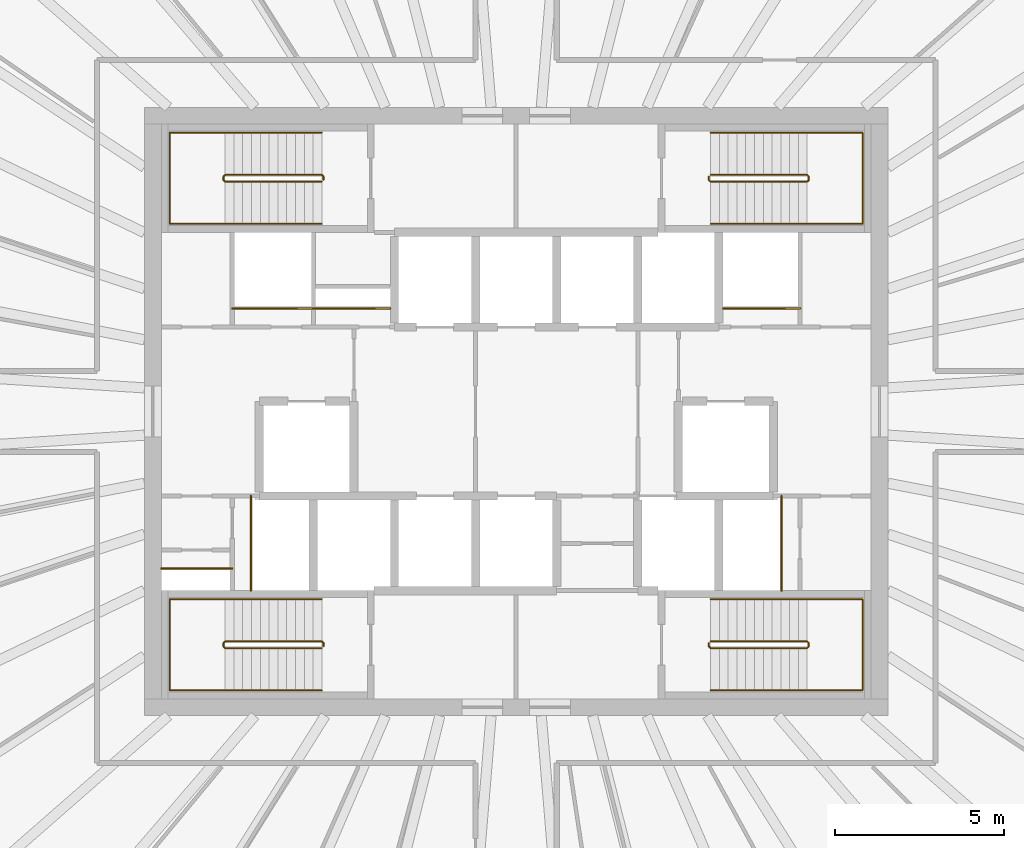
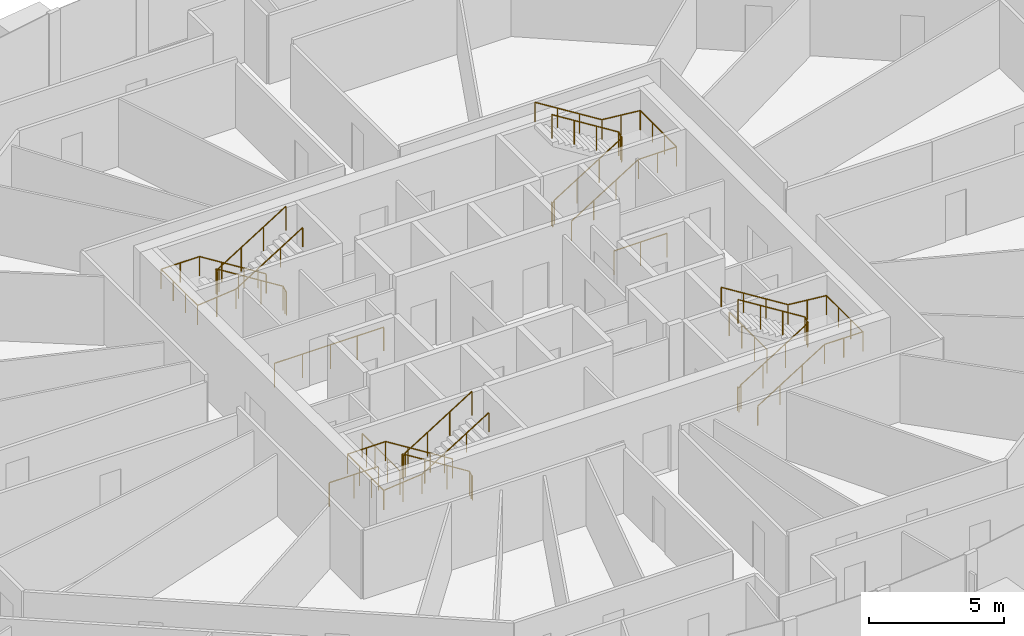
# One storey, part 12 of 12: 14 railings.
"""IFC4 building model written with IfcOpenShell, lengths in metres."""

from ifc_helpers import new_model, si_unit, direction, frame, origin, origin_2d, place, context, subcontext, project, spatial, circle, extrude, source, transform, mapped, material, type_object, element, save


model = new_model("IFC4")

# Units and contexts
model_context = context("Model", 3, precision=1e-05, world=origin(), true_north=direction((0.0, 1.0)))
body_context = subcontext(model_context, "Body", "Model", "MODEL_VIEW")
ifc_project = project(units=[si_unit("LENGTHUNIT", "METRE"), si_unit("AREAUNIT", "SQUARE_METRE"), si_unit("VOLUMEUNIT", "CUBIC_METRE"), si_unit("PLANEANGLEUNIT", "RADIAN"), si_unit("MASSUNIT", "GRAM", prefix="KILO")], contexts=[model_context])

# Site, building, storey
site_placement = place(None, origin())
site = spatial("IfcSite", under=ifc_project, at=site_placement, CompositionType="ELEMENT")
building_placement = place(site_placement, origin())
building = spatial("IfcBuilding", under=site, at=building_placement, Name="Embergate Tower", CompositionType="ELEMENT")
storey_placement = place(building_placement, frame((0.0, 0.0, 265.60009765625)))
storey = spatial("IfcBuildingStorey", under=building, at=storey_placement, Name="L61", CompositionType="ELEMENT", Elevation=265.60009765625)

# Railings
ifc_material_1 = material(Name="Stair handrail 900")
railing_type_1 = type_object("IfcRailingType", Name="Stair handrail 900", PredefinedType="HANDRAIL", material=ifc_material_1)
shared_shape_1 = source(origin(), body_context, "Body", "SweptSolid", [
    extrude(circle(Radius=0.02392578125, at=origin_2d()), frame((0.0, 0.0, 0.8759765625), z_axis=(-0.847994237388, 0.0, 0.530005446535), x_axis=(0.0, -1.0, 0.0)), (0.0, 0.0, 1.0), 3.372802734375),
    extrude(circle(Radius=0.02392578125, at=origin_2d()), frame((-2.860107421875, 0.0, 2.66357421875), z_axis=(-1.0, 0.0, 0.0), x_axis=(0.0, -1.0, 0.0)), (0.0, 0.0, 1.0), 1.639892578125),
    extrude(circle(Radius=0.02392578125, at=origin_2d()), frame((-4.5, 0.0, 2.66357421875), z_axis=(0.0, -1.0, 0.0), x_axis=(1.0, 0.0, 0.0)), (0.0, 0.0, 1.0), 2.699951171875),
    extrude(circle(Radius=0.02392578125, at=origin_2d()), frame((-4.5, -2.699951171875, 2.66357421875), z_axis=(0.995134983717, 0.0, 0.098520881967), x_axis=(0.0, 1.0, 0.0)), (0.0, 0.0, 1.0), 1.64794921875),
    extrude(circle(Radius=0.02392578125, at=origin_2d()), frame((-2.860107421875, -2.699951171875, 2.82568359375), z_axis=(0.847994237388, 0.0, 0.530005446535), x_axis=(0.0, 1.0, 0.0)), (0.0, 0.0, 1.0), 3.372802734375),
    extrude(circle(Radius=0.02099609375, at=origin_2d()), origin(), (0.0, 0.0, 1.0), 0.851806640625),
    extrude(circle(Radius=0.02099609375, at=origin_2d()), frame((-0.953369140625, 0.0, 0.595947265625)), (0.0, 0.0, 1.0), 0.851806640625),
    extrude(circle(Radius=0.02099609375, at=origin_2d()), frame((-1.90673828125, 0.0, 1.191650390625)), (0.0, 0.0, 1.0), 0.851806640625),
    extrude(circle(Radius=0.02099609375, at=origin_2d()), frame((-2.860107421875, 0.0, 1.78759765625)), (0.0, 0.0, 1.0), 0.851806640625),
    extrude(circle(Radius=0.02099609375, at=origin_2d()), frame((-3.68017578125, 0.0, 1.78759765625)), (0.0, 0.0, 1.0), 0.851806640625),
    extrude(circle(Radius=0.02099609375, at=origin_2d()), frame((-4.5, 0.0, 1.78759765625)), (0.0, 0.0, 1.0), 0.851806640625),
    extrude(circle(Radius=0.02099609375, at=origin_2d()), frame((-4.5, -0.89990234375, 1.78759765625)), (0.0, 0.0, 1.0), 0.851806640625),
    extrude(circle(Radius=0.02099609375, at=origin_2d()), frame((-4.5, -1.800048828125, 1.78759765625)), (0.0, 0.0, 1.0), 0.851806640625),
    extrude(circle(Radius=0.02099609375, at=origin_2d()), frame((-4.5, -2.699951171875, 1.78759765625)), (0.0, 0.0, 1.0), 0.851806640625),
    extrude(circle(Radius=0.02099609375, at=origin_2d()), frame((-3.68017578125, -2.699951171875, 1.86865234375)), (0.0, 0.0, 1.0), 0.851806640625),
    extrude(circle(Radius=0.02099609375, at=origin_2d()), frame((-2.860107421875, -2.699951171875, 1.949951171875)), (0.0, 0.0, 1.0), 0.851806640625),
    extrude(circle(Radius=0.02099609375, at=origin_2d()), frame((-1.90673828125, -2.699951171875, 2.5458984375)), (0.0, 0.0, 1.0), 0.851806640625),
    extrude(circle(Radius=0.02099609375, at=origin_2d()), frame((-0.953369140625, -2.699951171875, 3.1416015625)), (0.0, 0.0, 1.0), 0.851806640625),
    extrude(circle(Radius=0.02099609375, at=origin_2d()), frame((0.0, -2.699951171875, 3.737548828125)), (0.0, 0.0, 1.0), 0.851806640625),
])
for number, where, name in (
    (1, (-5.75, 8.25, 0.162353515625), "L61 ST1 stair handrail 1"),
    (2, (-5.75, -5.550048828125, 0.162353515625), "L61 ST3 stair handrail 1"),
):
    element("IfcRailing", number, at=place(storey_placement, frame(where)), inside=storey, type_object=railing_type_1, Name=name, PredefinedType="HANDRAIL", context=body_context, shape_type="MappedRepresentation", body=[
        mapped(shared_shape_1, transform((0.0, 0.0, 0.0))),
    ])
ifc_material_2 = material(Name="Stair guard 1100")
railing_type_2 = type_object("IfcRailingType", Name="Stair guard 1100", PredefinedType="GUARDRAIL", material=ifc_material_2)
shared_shape_2 = source(origin(), body_context, "Body", "SweptSolid", [
    extrude(circle(Radius=0.02392578125, at=origin_2d()), frame((0.0, 0.0, 1.076171875), z_axis=(0.0, 1.0, 0.0), x_axis=(-1.0, 0.0, 0.0)), (0.0, 0.0, 1.0), 0.099853515625),
    extrude(circle(Radius=0.02392578125, at=origin_2d()), frame((0.0, 0.099853515625, 1.076171875), z_axis=(-0.282583949758, 0.282583949758, 0.916674763849), x_axis=(-0.707106781187, -0.707106781187, 0.0)), (0.0, 0.0, 1.0), 0.177001953125),
    extrude(circle(Radius=0.02392578125, at=origin_2d()), frame((-0.050048828125, 0.14990234375, 1.23828125), z_axis=(-0.847994237388, 0.0, 0.530005446535), x_axis=(0.0, -1.0, 0.0)), (0.0, 0.0, 1.0), 3.372802734375),
    extrude(circle(Radius=0.02392578125, at=origin_2d()), frame((-2.91015625, 0.14990234375, 3.02587890625), z_axis=(-0.705375805398, -0.708833529934, 0.0), x_axis=(0.708833529934, -0.705375805398, 0.0)), (0.0, 0.0, 1.0), 0.070556640625),
    extrude(circle(Radius=0.02392578125, at=origin_2d()), frame((-2.9599609375, 0.099853515625, 3.02587890625), z_axis=(0.0, -1.0, 0.0), x_axis=(1.0, 0.0, 0.0)), (0.0, 0.0, 1.0), 0.099853515625),
    extrude(circle(Radius=0.02392578125, at=origin_2d()), frame((-2.9599609375, 0.0, 3.02587890625), z_axis=(0.281314826061, -0.282693820306, 0.917031173188), x_axis=(0.708833529934, 0.705375805398, 0.0)), (0.0, 0.0, 1.0), 0.177001953125),
    extrude(circle(Radius=0.02392578125, at=origin_2d()), frame((-2.91015625, -0.050048828125, 3.1884765625), z_axis=(0.847994237388, 0.0, 0.530005446535), x_axis=(0.0, 1.0, 0.0)), (0.0, 0.0, 1.0), 3.372802734375),
    extrude(circle(Radius=0.02099609375, at=origin_2d()), origin(), (0.0, 0.0, 1.0), 1.052001953125),
    extrude(circle(Radius=0.02099609375, at=origin_2d()), frame((0.0, 0.099853515625, 0.0)), (0.0, 0.0, 1.0), 1.052001953125),
    extrude(circle(Radius=0.02099609375, at=origin_2d()), frame((-0.050048828125, 0.14990234375, 0.162353515625)), (0.0, 0.0, 1.0), 1.052001953125),
    extrude(circle(Radius=0.02099609375, at=origin_2d()), frame((-1.00341796875, 0.14990234375, 0.75830078125)), (0.0, 0.0, 1.0), 1.052001953125),
    extrude(circle(Radius=0.02099609375, at=origin_2d()), frame((-1.956787109375, 0.14990234375, 1.35400390625)), (0.0, 0.0, 1.0), 1.052001953125),
    extrude(circle(Radius=0.02099609375, at=origin_2d()), frame((-2.91015625, 0.14990234375, 1.949951171875)), (0.0, 0.0, 1.0), 1.052001953125),
    extrude(circle(Radius=0.02099609375, at=origin_2d()), frame((-2.9599609375, 0.099853515625, 1.949951171875)), (0.0, 0.0, 1.0), 1.052001953125),
    extrude(circle(Radius=0.02099609375, at=origin_2d()), frame((-2.9599609375, 0.0, 1.949951171875)), (0.0, 0.0, 1.0), 1.052001953125),
    extrude(circle(Radius=0.02099609375, at=origin_2d()), frame((-2.91015625, -0.050048828125, 2.1123046875)), (0.0, 0.0, 1.0), 1.052001953125),
    extrude(circle(Radius=0.02099609375, at=origin_2d()), frame((-1.956787109375, -0.050048828125, 2.708251953125)), (0.0, 0.0, 1.0), 1.052001953125),
    extrude(circle(Radius=0.02099609375, at=origin_2d()), frame((-1.00341796875, -0.050048828125, 3.303955078125)), (0.0, 0.0, 1.0), 1.052001953125),
    extrude(circle(Radius=0.02099609375, at=origin_2d()), frame((-0.050048828125, -0.050048828125, 3.89990234375)), (0.0, 0.0, 1.0), 1.052001953125),
])
for number, where, name in (
    (3, (-5.699951171875, 6.85009765625, 0.0), "L61 ST1 stair guard 1"),
    (4, (-5.699951171875, -6.949951171875, 0.0), "L61 ST3 stair guard 1"),
):
    element("IfcRailing", number, at=place(storey_placement, frame(where)), inside=storey, type_object=railing_type_2, Name=name, PredefinedType="GUARDRAIL", context=body_context, shape_type="MappedRepresentation", body=[
        mapped(shared_shape_2, transform((0.0, 0.0, 0.0))),
    ])
shared_shape_3 = source(origin(), body_context, "Body", "SweptSolid", [
    extrude(circle(Radius=0.02392578125, at=origin_2d()), frame((0.0, 0.0, 0.8759765625), z_axis=(0.847994237388, 0.0, 0.530005446535), x_axis=(0.0, 1.0, 0.0)), (0.0, 0.0, 1.0), 3.372802734375),
    extrude(circle(Radius=0.02392578125, at=origin_2d()), frame((2.860107421875, 0.0, 2.66357421875), z_axis=(1.0, 0.0, 0.0), x_axis=(0.0, 1.0, 0.0)), (0.0, 0.0, 1.0), 1.639892578125),
    extrude(circle(Radius=0.02392578125, at=origin_2d()), frame((4.5, 0.0, 2.66357421875), z_axis=(0.0, 1.0, 0.0), x_axis=(-1.0, 0.0, 0.0)), (0.0, 0.0, 1.0), 2.699951171875),
    extrude(circle(Radius=0.02392578125, at=origin_2d()), frame((4.5, 2.699951171875, 2.66357421875), z_axis=(-0.995134983717, 0.0, 0.098520881967), x_axis=(0.0, -1.0, 0.0)), (0.0, 0.0, 1.0), 1.64794921875),
    extrude(circle(Radius=0.02392578125, at=origin_2d()), frame((2.860107421875, 2.699951171875, 2.82568359375), z_axis=(-0.847994237388, 0.0, 0.530005446535), x_axis=(0.0, -1.0, 0.0)), (0.0, 0.0, 1.0), 3.372802734375),
    extrude(circle(Radius=0.02099609375, at=origin_2d()), origin(), (0.0, 0.0, 1.0), 0.851806640625),
    extrude(circle(Radius=0.02099609375, at=origin_2d()), frame((0.953369140625, 0.0, 0.595947265625)), (0.0, 0.0, 1.0), 0.851806640625),
    extrude(circle(Radius=0.02099609375, at=origin_2d()), frame((1.90673828125, 0.0, 1.191650390625)), (0.0, 0.0, 1.0), 0.851806640625),
    extrude(circle(Radius=0.02099609375, at=origin_2d()), frame((2.860107421875, 0.0, 1.78759765625)), (0.0, 0.0, 1.0), 0.851806640625),
    extrude(circle(Radius=0.02099609375, at=origin_2d()), frame((3.68017578125, 0.0, 1.78759765625)), (0.0, 0.0, 1.0), 0.851806640625),
    extrude(circle(Radius=0.02099609375, at=origin_2d()), frame((4.5, 0.0, 1.78759765625)), (0.0, 0.0, 1.0), 0.851806640625),
    extrude(circle(Radius=0.02099609375, at=origin_2d()), frame((4.5, 0.89990234375, 1.78759765625)), (0.0, 0.0, 1.0), 0.851806640625),
    extrude(circle(Radius=0.02099609375, at=origin_2d()), frame((4.5, 1.800048828125, 1.78759765625)), (0.0, 0.0, 1.0), 0.851806640625),
    extrude(circle(Radius=0.02099609375, at=origin_2d()), frame((4.5, 2.699951171875, 1.78759765625)), (0.0, 0.0, 1.0), 0.851806640625),
    extrude(circle(Radius=0.02099609375, at=origin_2d()), frame((3.68017578125, 2.699951171875, 1.86865234375)), (0.0, 0.0, 1.0), 0.851806640625),
    extrude(circle(Radius=0.02099609375, at=origin_2d()), frame((2.860107421875, 2.699951171875, 1.949951171875)), (0.0, 0.0, 1.0), 0.851806640625),
    extrude(circle(Radius=0.02099609375, at=origin_2d()), frame((1.90673828125, 2.699951171875, 2.5458984375)), (0.0, 0.0, 1.0), 0.851806640625),
    extrude(circle(Radius=0.02099609375, at=origin_2d()), frame((0.953369140625, 2.699951171875, 3.1416015625)), (0.0, 0.0, 1.0), 0.851806640625),
    extrude(circle(Radius=0.02099609375, at=origin_2d()), frame((0.0, 2.699951171875, 3.737548828125)), (0.0, 0.0, 1.0), 0.851806640625),
])
for number, where, name in (
    (5, (5.75, 5.550048828125, 0.162353515625), "L61 ST2 stair handrail 1"),
    (6, (5.75, -8.25, 0.162353515625), "L61 ST4 stair handrail 1"),
):
    element("IfcRailing", number, at=place(storey_placement, frame(where)), inside=storey, type_object=railing_type_1, Name=name, PredefinedType="HANDRAIL", context=body_context, shape_type="MappedRepresentation", body=[
        mapped(shared_shape_3, transform((0.0, 0.0, 0.0))),
    ])
shared_shape_4 = source(origin(), body_context, "Body", "SweptSolid", [
    extrude(circle(Radius=0.02392578125, at=origin_2d()), frame((0.0, 0.0, 1.076171875), z_axis=(0.0, -1.0, 0.0), x_axis=(1.0, 0.0, 0.0)), (0.0, 0.0, 1.0), 0.099853515625),
    extrude(circle(Radius=0.02392578125, at=origin_2d()), frame((0.0, -0.099853515625, 1.076171875), z_axis=(0.282583949758, -0.282583949758, 0.916674763849), x_axis=(0.707106781187, 0.707106781187, 0.0)), (0.0, 0.0, 1.0), 0.177001953125),
    extrude(circle(Radius=0.02392578125, at=origin_2d()), frame((0.050048828125, -0.14990234375, 1.23828125), z_axis=(0.847994237388, 0.0, 0.530005446535), x_axis=(0.0, 1.0, 0.0)), (0.0, 0.0, 1.0), 3.372802734375),
    extrude(circle(Radius=0.02392578125, at=origin_2d()), frame((2.91015625, -0.14990234375, 3.02587890625), z_axis=(0.705375805398, 0.708833529934, 0.0), x_axis=(-0.708833529934, 0.705375805398, 0.0)), (0.0, 0.0, 1.0), 0.070556640625),
    extrude(circle(Radius=0.02392578125, at=origin_2d()), frame((2.9599609375, -0.099853515625, 3.02587890625), z_axis=(0.0, 1.0, 0.0), x_axis=(-1.0, 0.0, 0.0)), (0.0, 0.0, 1.0), 0.099853515625),
    extrude(circle(Radius=0.02392578125, at=origin_2d()), frame((2.9599609375, 0.0, 3.02587890625), z_axis=(-0.281314826061, 0.282693820306, 0.917031173188), x_axis=(-0.708833529934, -0.705375805398, 0.0)), (0.0, 0.0, 1.0), 0.177001953125),
    extrude(circle(Radius=0.02392578125, at=origin_2d()), frame((2.91015625, 0.050048828125, 3.1884765625), z_axis=(-0.847994237388, 0.0, 0.530005446535), x_axis=(0.0, -1.0, 0.0)), (0.0, 0.0, 1.0), 3.372802734375),
    extrude(circle(Radius=0.02099609375, at=origin_2d()), origin(), (0.0, 0.0, 1.0), 1.052001953125),
    extrude(circle(Radius=0.02099609375, at=origin_2d()), frame((0.0, -0.099853515625, 0.0)), (0.0, 0.0, 1.0), 1.052001953125),
    extrude(circle(Radius=0.02099609375, at=origin_2d()), frame((0.050048828125, -0.14990234375, 0.162353515625)), (0.0, 0.0, 1.0), 1.052001953125),
    extrude(circle(Radius=0.02099609375, at=origin_2d()), frame((1.00341796875, -0.14990234375, 0.75830078125)), (0.0, 0.0, 1.0), 1.052001953125),
    extrude(circle(Radius=0.02099609375, at=origin_2d()), frame((1.956787109375, -0.14990234375, 1.35400390625)), (0.0, 0.0, 1.0), 1.052001953125),
    extrude(circle(Radius=0.02099609375, at=origin_2d()), frame((2.91015625, -0.14990234375, 1.949951171875)), (0.0, 0.0, 1.0), 1.052001953125),
    extrude(circle(Radius=0.02099609375, at=origin_2d()), frame((2.9599609375, -0.099853515625, 1.949951171875)), (0.0, 0.0, 1.0), 1.052001953125),
    extrude(circle(Radius=0.02099609375, at=origin_2d()), frame((2.9599609375, 0.0, 1.949951171875)), (0.0, 0.0, 1.0), 1.052001953125),
    extrude(circle(Radius=0.02099609375, at=origin_2d()), frame((2.91015625, 0.050048828125, 2.1123046875)), (0.0, 0.0, 1.0), 1.052001953125),
    extrude(circle(Radius=0.02099609375, at=origin_2d()), frame((1.956787109375, 0.050048828125, 2.708251953125)), (0.0, 0.0, 1.0), 1.052001953125),
    extrude(circle(Radius=0.02099609375, at=origin_2d()), frame((1.00341796875, 0.050048828125, 3.303955078125)), (0.0, 0.0, 1.0), 1.052001953125),
    extrude(circle(Radius=0.02099609375, at=origin_2d()), frame((0.050048828125, 0.050048828125, 3.89990234375)), (0.0, 0.0, 1.0), 1.052001953125),
])
for number, where, name in (
    (7, (5.699951171875, 6.949951171875, 0.0), "L61 ST2 stair guard 1"),
    (8, (5.699951171875, -6.85009765625, 0.0), "L61 ST4 stair guard 1"),
):
    element("IfcRailing", number, at=place(storey_placement, frame(where)), inside=storey, type_object=railing_type_2, Name=name, PredefinedType="GUARDRAIL", context=body_context, shape_type="MappedRepresentation", body=[
        mapped(shared_shape_4, transform((0.0, 0.0, 0.0))),
    ])
ifc_material_3 = material(Name="Opening guard 1100")
railing_type_3 = type_object("IfcRailingType", Name="Opening guard 1100", PredefinedType="GUARDRAIL", material=ifc_material_3)
shared_shape_5 = source(origin(), body_context, "Body", "SweptSolid", [
    extrude(circle(Radius=0.02392578125, at=origin_2d()), frame((0.0, 0.0, 1.076171875), z_axis=(1.0, 0.0, 0.0), x_axis=(0.0, 1.0, 0.0)), (0.0, 0.0, 1.0), 2.27490234375),
    extrude(circle(Radius=0.02099609375, at=origin_2d()), origin(), (0.0, 0.0, 1.0), 1.052001953125),
    extrude(circle(Radius=0.02099609375, at=origin_2d()), frame((1.137451171875, 0.0, 0.0)), (0.0, 0.0, 1.0), 1.052001953125),
    extrude(circle(Radius=0.02099609375, at=origin_2d()), frame((2.27490234375, 0.0, 0.0)), (0.0, 0.0, 1.0), 1.052001953125),
])
for number, where, name in (
    (9, (6.125, 3.050048828125, 0.0), "Riser opening guard"),
    (10, (-6.0, 3.050048828125, 0.0), "Riser opening guard"),
):
    element("IfcRailing", number, at=place(storey_placement, frame(where)), inside=storey, type_object=railing_type_3, Name=name, PredefinedType="GUARDRAIL", context=body_context, shape_type="MappedRepresentation", body=[
        mapped(shared_shape_5, transform((0.0, 0.0, 0.0))),
    ])
shared_shape_6 = source(origin(), body_context, "Body", "SweptSolid", [
    extrude(circle(Radius=0.02392578125, at=origin_2d()), frame((0.0, 0.0, 1.076171875), z_axis=(0.0, 1.0, 0.0), x_axis=(-1.0, 0.0, 0.0)), (0.0, 0.0, 1.0), 2.800048828125),
    extrude(circle(Radius=0.02099609375, at=origin_2d()), origin(), (0.0, 0.0, 1.0), 1.052001953125),
    extrude(circle(Radius=0.02099609375, at=origin_2d()), frame((0.0, 0.933349609375, 0.0)), (0.0, 0.0, 1.0), 1.052001953125),
    extrude(circle(Radius=0.02099609375, at=origin_2d()), frame((0.0, 1.86669921875, 0.0)), (0.0, 0.0, 1.0), 1.052001953125),
    extrude(circle(Radius=0.02099609375, at=origin_2d()), frame((0.0, 2.800048828125, 0.0)), (0.0, 0.0, 1.0), 1.052001953125),
])
for number, where, name in (
    (11, (-7.85009765625, -5.300048828125, 0.0), "Riser opening guard"),
    (12, (7.85009765625, -5.300048828125, 0.0), "Riser opening guard"),
):
    element("IfcRailing", number, at=place(storey_placement, frame(where)), inside=storey, type_object=railing_type_3, Name=name, PredefinedType="GUARDRAIL", context=body_context, shape_type="MappedRepresentation", body=[
        mapped(shared_shape_6, transform((0.0, 0.0, 0.0))),
    ])
shared_shape_7 = source(origin(), body_context, "Body", "SweptSolid", [
    extrude(circle(Radius=0.02392578125, at=origin_2d()), frame((0.0, 0.0, 1.076171875), z_axis=(1.0, 0.0, 0.0), x_axis=(0.0, 1.0, 0.0)), (0.0, 0.0, 1.0), 2.39990234375),
    extrude(circle(Radius=0.02099609375, at=origin_2d()), origin(), (0.0, 0.0, 1.0), 1.052001953125),
    extrude(circle(Radius=0.02099609375, at=origin_2d()), frame((1.199951171875, 0.0, 0.0)), (0.0, 0.0, 1.0), 1.052001953125),
    extrude(circle(Radius=0.02099609375, at=origin_2d()), frame((2.39990234375, 0.0, 0.0)), (0.0, 0.0, 1.0), 1.052001953125),
])
railing_1_placement = place(storey_placement, frame((-8.39990234375, 3.050048828125, 0.0)))
element("IfcRailing", 13, at=railing_1_placement, inside=storey, type_object=railing_type_3, Name="Riser opening guard", PredefinedType="GUARDRAIL", context=body_context, shape_type="MappedRepresentation", body=[
    mapped(shared_shape_7, transform((0.0, 0.0, 0.0))),
])
shared_shape_8 = source(origin(), body_context, "Body", "SweptSolid", [
    extrude(circle(Radius=0.02392578125, at=origin_2d()), frame((0.0, 0.0, 1.076171875), z_axis=(1.0, 0.0, 0.0), x_axis=(0.0, 1.0, 0.0)), (0.0, 0.0, 1.0), 2.10009765625),
    extrude(circle(Radius=0.02099609375, at=origin_2d()), origin(), (0.0, 0.0, 1.0), 1.052001953125),
    extrude(circle(Radius=0.02099609375, at=origin_2d()), frame((1.050048828125, 0.0, 0.0)), (0.0, 0.0, 1.0), 1.052001953125),
    extrude(circle(Radius=0.02099609375, at=origin_2d()), frame((2.10009765625, 0.0, 0.0)), (0.0, 0.0, 1.0), 1.052001953125),
])
railing_2_placement = place(storey_placement, frame((-10.5, -4.64599609375, 0.0)))
element("IfcRailing", 14, at=railing_2_placement, inside=storey, type_object=railing_type_3, Name="Riser opening guard", PredefinedType="GUARDRAIL", context=body_context, shape_type="MappedRepresentation", body=[
    mapped(shared_shape_8, transform((0.0, 0.0, 0.0))),
])

save(model, "model.ifc")
